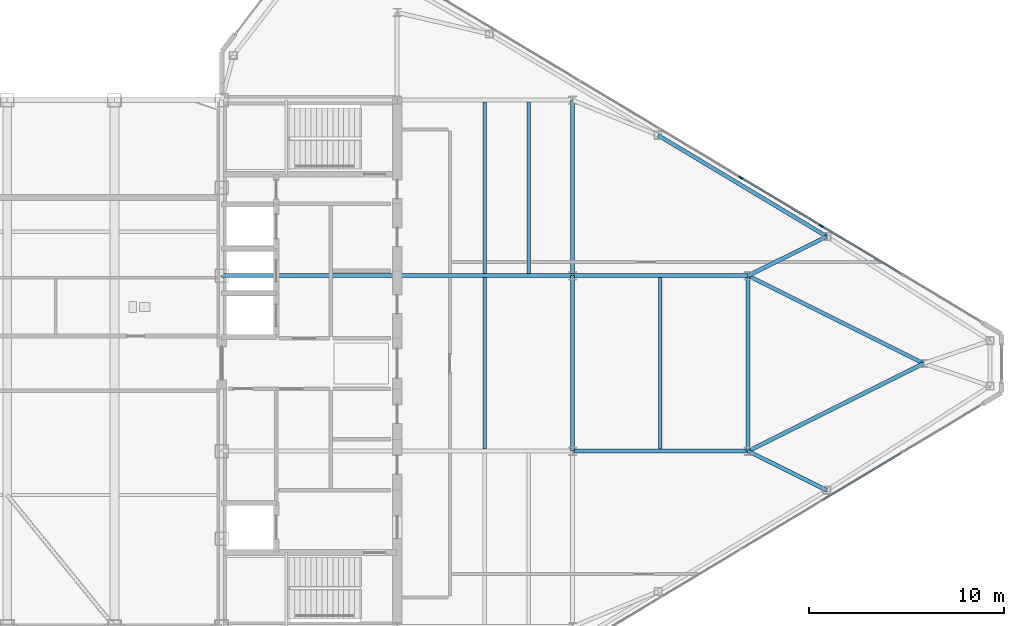
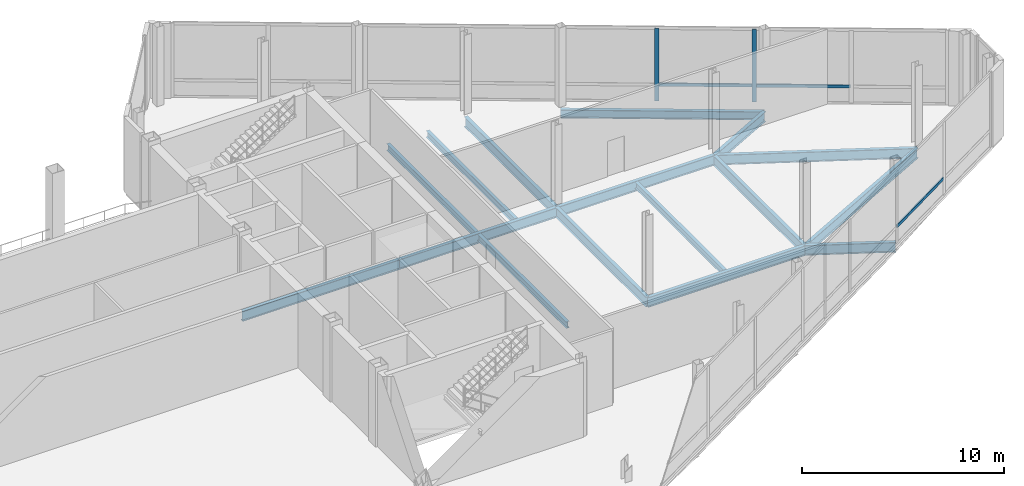
# One storey, part 15 of 28: 16 beams, 5 members, 2 elements without a shape of their own.
"""IFC4 building model written with IfcOpenShell, lengths in metres."""

from ifc_helpers import new_model, si_unit, direction, frame, origin, origin_2d, place, context, subcontext, project, spatial, rectangle, i_section, extrude, source, transform, mapped, material, layer, layer_set, material_profile, profile_set, type_object, type_shapes, element, aggregate, save


model = new_model("IFC4")

# Units and contexts
model_context = context("Model", 3, precision=1e-05, world=origin(), true_north=direction((0.0, 1.0)))
body_context = subcontext(model_context, "Body", "Model", "MODEL_VIEW")
ifc_project = project(units=[si_unit("LENGTHUNIT", "METRE"), si_unit("AREAUNIT", "SQUARE_METRE"), si_unit("VOLUMEUNIT", "CUBIC_METRE"), si_unit("PLANEANGLEUNIT", "RADIAN"), si_unit("MASSUNIT", "GRAM", prefix="KILO")], contexts=[model_context])

# Site, building, storey
site_placement = place(None, origin())
site = spatial("IfcSite", under=ifc_project, at=site_placement, CompositionType="ELEMENT")
building_placement = place(site_placement, origin())
building = spatial("IfcBuilding", under=site, at=building_placement, Name="Seokmaru Belvedere", CompositionType="ELEMENT")
storey_placement = place(building_placement, frame((0.0, 0.0, 274.199951171875)))
storey = spatial("IfcBuildingStorey", under=building, at=storey_placement, Name="L72", CompositionType="ELEMENT", Elevation=274.199951171875)

# Beams
ifc_material_1 = material(Name="Steel SM355 (355 MPa)", Category="steel")
ifc_material_profile_1 = material_profile(ifc_material_1, i_section(OverallWidth=0.199951171875, OverallDepth=0.60009765625, WebThickness=0.010986328125, FlangeThickness=0.01708984375, at=origin_2d()), Name="H-600x200x11x17")
ifc_profile_set_1 = profile_set([ifc_material_profile_1], Name="Steel SM355 (355 MPa)")
beam_type_1 = type_object("IfcBeamType", Name="Primary Floor Girder H-600", PredefinedType="BEAM", material=ifc_profile_set_1)
shared_shape_1 = source(origin(), body_context, "Body", "SweptSolid", [
    extrude(i_section(OverallWidth=0.199951171875, OverallDepth=0.60009765625, WebThickness=0.010986328125, FlangeThickness=0.01708984375, at=origin_2d()), origin(), (0.0, 0.0, 1.0), 9.0),
])
for number, where, z_axis, x_axis, name in (
    (1, (45.5, -4.5, -0.56005859375), (0.0, 1.0, 0.0), (-1.0, 0.0, 0.0), "L72 E Interior Grid Girder 2"),
    (2, (45.5, 4.5, -0.56005859375), (0.0, 1.0, 0.0), (-1.0, 0.0, 0.0), "L72 E Interior Grid Girder 3"),
    (3, (27.5, 4.5, -0.56005859375), (1.0, 0.0, 0.0), (0.0, 1.0, 0.0), "L72 E Core Tie Girder 3"),
    (4, (36.5, 4.5, -0.56005859375), (1.0, 0.0, 0.0), (0.0, 1.0, 0.0), "L72 E Wing Primary Girder 3"),
    (5, (45.5, -4.5, -0.56005859375), (1.0, 0.0, 0.0), (0.0, 1.0, 0.0), "L72 E Outer Wing Girder 1"),
    (6, (45.5, 4.5, -0.56005859375), (1.0, 0.0, 0.0), (0.0, 1.0, 0.0), "L72 E Outer Wing Girder 2"),
    (7, (54.5, -4.5, -0.56005859375), (0.0, 1.0, 0.0), (-1.0, 0.0, 0.0), "L72 E Apex Frame Girder"),
):
    element("IfcBeam", number, at=place(storey_placement, frame(where, z_axis=z_axis, x_axis=x_axis)), inside=storey, type_object=beam_type_1, Name=name, PredefinedType="BEAM", context=body_context, shape_type="MappedRepresentation", body=[
        mapped(shared_shape_1, transform((0.0, 0.0, 0.0), scale=1.0)),
    ])
shared_shape_2 = source(origin(), body_context, "Body", "SweptSolid", [
    extrude(i_section(OverallWidth=0.199951171875, OverallDepth=0.60009765625, WebThickness=0.010986328125, FlangeThickness=0.01708984375, at=origin_2d()), origin(), (0.0, 0.0, 1.0), 10.062255859375),
])
for number, where, z_axis, x_axis, name in (
    (8, (54.5, -4.5, -0.56005859375), (0.894427191, 0.4472135955, 0.0), (-0.4472135955, 0.894427191, 0.0), "L72 E Apex Converging Girder 1"),
    (9, (54.5, 4.5, -0.56005859375), (0.894427191, -0.4472135955, 0.0), (0.4472135955, 0.894427191, 0.0), "L72 E Apex Converging Girder 2"),
):
    element("IfcBeam", number, at=place(storey_placement, frame(where, z_axis=z_axis, x_axis=x_axis)), inside=storey, type_object=beam_type_1, Name=name, PredefinedType="BEAM", context=body_context, shape_type="MappedRepresentation", body=[
        mapped(shared_shape_2, transform((0.0, 0.0, 0.0), scale=1.0)),
    ])
ifc_material_profile_2 = material_profile(ifc_material_1, i_section(OverallWidth=0.18505859375, OverallDepth=0.389892578125, WebThickness=0.008056640625, FlangeThickness=0.011962890625, at=origin_2d()), Name="H-390x185x8x12")
ifc_profile_set_2 = profile_set([ifc_material_profile_2], Name="Steel SM355 (355 MPa)")
beam_type_2 = type_object("IfcBeamType", Name="Secondary Floor Joist H-350", PredefinedType="JOIST", material=ifc_profile_set_2)
shared_shape_3 = source(origin(), body_context, "Body", "SweptSolid", [
    extrude(i_section(OverallWidth=0.18505859375, OverallDepth=0.389892578125, WebThickness=0.008056640625, FlangeThickness=0.011962890625, at=origin_2d()), origin(), (0.0, 0.0, 1.0), 8.7900390625),
])
type_shapes(beam_type_2, [shared_shape_3])
for number, where, z_axis, x_axis, name in (
    (10, (43.25, 4.60498046875, -0.454833984375), (0.0, 1.0, 0.0), (-1.0, 0.0, 0.0), "L72 E Wing Inner Secondary Joist 2"),
    (11, (41.0, -4.39501953125, -0.454833984375), (0.0, 1.0, 0.0), (-1.0, 0.0, 0.0), "L72 E Secondary Floor Joist 2"),
    (12, (41.0, 4.60498046875, -0.454833984375), (0.0, 1.0, 0.0), (-1.0, 0.0, 0.0), "L72 E Secondary Floor Joist 3"),
    (13, (50.0, -4.39501953125, -0.454833984375), (0.0, 1.0, 0.0), (-1.0, 0.0, 0.0), "L72 E Outer Bay Secondary Joist"),
):
    element("IfcBeam", number, at=place(storey_placement, frame(where, z_axis=z_axis, x_axis=x_axis)), inside=storey, type_object=beam_type_2, Name=name, PredefinedType="JOIST", context=body_context, shape_type="MappedRepresentation", body=[
        mapped(shared_shape_3, transform((0.0, 0.0, 0.0), scale=1.0)),
    ])
ifc_material_profile_3 = material_profile(ifc_material_1, i_section(OverallWidth=0.199951171875, OverallDepth=0.5, WebThickness=0.010009765625, FlangeThickness=0.01611328125, at=origin_2d()), Name="H-500x200x10x16")
ifc_profile_set_3 = profile_set([ifc_material_profile_3], Name="Steel SM355 (355 MPa)")
beam_type_3 = type_object("IfcBeamType", Name="Perimeter Spandrel Beam H-500", PredefinedType="SPANDREL", material=ifc_profile_set_3)
shared_shape_4 = source(origin(), body_context, "Body", "SweptSolid", [
    extrude(i_section(OverallWidth=0.199951171875, OverallDepth=0.5, WebThickness=0.010009765625, FlangeThickness=0.01611328125, at=origin_2d()), origin(), (0.0, 0.0, 1.0), 10.087646484375),
])
type_shapes(beam_type_3, [shared_shape_4])
beam_placement = place(storey_placement, frame((49.8798828125, 11.698974609375, -0.510009765625), z_axis=(0.857488654804, -0.514502873542, 0.0), x_axis=(0.514502873542, 0.857488654804, 0.0)))
element("IfcBeam", 14, at=beam_placement, inside=storey, type_object=beam_type_3, Name="L72 E Faceted Flank Spandrel N-3", PredefinedType="SPANDREL", context=body_context, shape_type="MappedRepresentation", body=[
    mapped(shared_shape_4, transform((0.0, 0.0, 0.0), scale=1.0)),
])
shared_shape_5 = source(origin(), body_context, "Body", "SweptSolid", [
    extrude(i_section(OverallWidth=0.199951171875, OverallDepth=0.60009765625, WebThickness=0.010986328125, FlangeThickness=0.01708984375, at=origin_2d()), origin(), (0.0, 0.0, 1.0), 4.5029296875),
])
type_shapes(beam_type_1, [shared_shape_1, shared_shape_2, shared_shape_5])
for number, where, z_axis, x_axis, name in (
    (15, (58.530029296875, -6.5087890625, -0.56005859375), (-0.894979532585, 0.446107202648, 0.0), (-0.446107202648, -0.894979532585, 0.0), "L72 E Flank Radial Floor Girder S-3"),
    (16, (58.530029296875, 6.5087890625, -0.56005859375), (-0.894979532585, -0.446107202648, 0.0), (0.446107202648, -0.894979532585, 0.0), "L72 E Flank Radial Floor Girder N-3"),
):
    element("IfcBeam", number, at=place(storey_placement, frame(where, z_axis=z_axis, x_axis=x_axis)), inside=storey, type_object=beam_type_1, Name=name, PredefinedType="BEAM", context=body_context, shape_type="MappedRepresentation", body=[
        mapped(shared_shape_5, transform((0.0, 0.0, 0.0), scale=1.0)),
    ])

# Curtain wall, member
ifc_material_2 = material(Name="Bronze Triple Insulating Glass", Category="glass")
ifc_layer = layer(ifc_material_2, 0.219970703125)
ifc_layer_set = layer_set([ifc_layer], Name="Bronze Triple Insulating Glass")
curtain_wall_type = type_object("IfcCurtainWallType", Name="Sky-Gate Bridge Panorama Curtain Wall System CW-6", PredefinedType="NOTDEFINED", material=ifc_layer_set)
curtain_wall_1_placement = place(storey_placement, origin())
curtain_wall_1 = element("IfcCurtainWall", 17, at=curtain_wall_1_placement, inside=storey, type_object=curtain_wall_type, Name="L72 Curtain Wall EF1", PredefinedType="NOTDEFINED")
ifc_material_3 = material(Name="Anodised Bronze Aluminium", Category="aluminium")
ifc_material_profile_4 = material_profile(ifc_material_3, rectangle(XDim=0.074951171875, YDim=0.179931640625, at=origin_2d()), Name="CW-T-75x180")
ifc_profile_set_4 = profile_set([ifc_material_profile_4], Name="Anodised Bronze Aluminium")
member_type_1 = type_object("IfcMemberType", Name="Bronze Unitised Transom 75x180", PredefinedType="USERDEFINED", material=ifc_profile_set_4)
shared_shape_6 = source(origin(), body_context, "Body", "SweptSolid", [
    extrude(rectangle(XDim=0.074951171875, YDim=0.179931640625, at=origin_2d()), origin(), (0.0, 0.0, 1.0), 4.734619140625),
])
member_1_placement = place(storey_placement, frame((58.291259765625, -7.025390625, 1.050048828125), z_axis=(0.857479275774, 0.514518504641, 0.0), x_axis=(-0.514518504641, 0.857479275774, 0.0)))
member_1 = element("IfcMember", 18, at=member_1_placement, type_object=member_type_1, Name="CW:L72:EF1 Spandrel Transom 7", ObjectType="TRANSOM", PredefinedType="USERDEFINED", context=body_context, shape_type="MappedRepresentation", body=[
    mapped(shared_shape_6, transform((0.0, 0.0, 0.0), scale=1.0)),
])
aggregate(curtain_wall_1, [member_1])

# Curtain wall, members
curtain_wall_2_placement = place(storey_placement, origin())
curtain_wall_2 = element("IfcCurtainWall", 19, at=curtain_wall_2_placement, inside=storey, type_object=curtain_wall_type, Name="L72 Curtain Wall EF3", PredefinedType="NOTDEFINED")
member_2_placement = place(storey_placement, frame((62.35107421875, 4.58935546875, 1.050048828125), z_axis=(-0.857479275774, 0.514518504641, 0.0), x_axis=(-0.514518504641, -0.857479275774, 0.0)))
member_2 = element("IfcMember", 20, at=member_2_placement, type_object=member_type_1, Name="CW:L72:EF3 Spandrel Transom 2", ObjectType="TRANSOM", PredefinedType="USERDEFINED", context=body_context, shape_type="MappedRepresentation", body=[
    mapped(shared_shape_6, transform((0.0, 0.0, 0.0), scale=1.0)),
])
shared_shape_7 = source(origin(), body_context, "Body", "SweptSolid", [
    extrude(rectangle(XDim=0.074951171875, YDim=0.179931640625, at=origin_2d()), origin(), (0.0, 0.0, 1.0), 4.734375),
])
type_shapes(member_type_1, [shared_shape_6, shared_shape_7])
member_3_placement = place(storey_placement, frame((58.22265625, 7.06640625, 1.050048828125), z_axis=(-0.857502025578, 0.514480588682, 0.0), x_axis=(-0.514480588682, -0.857502025578, 0.0)))
member_3 = element("IfcMember", 21, at=member_3_placement, type_object=member_type_1, Name="CW:L72:EF3 Spandrel Transom 3", ObjectType="TRANSOM", PredefinedType="USERDEFINED", context=body_context, shape_type="MappedRepresentation", body=[
    mapped(shared_shape_7, transform((0.0, 0.0, 0.0), scale=1.0)),
])
ifc_material_profile_5 = material_profile(ifc_material_3, rectangle(XDim=0.080078125, YDim=0.219970703125, at=origin_2d()), Name="CW-M-80x220")
ifc_profile_set_5 = profile_set([ifc_material_profile_5], Name="Anodised Bronze Aluminium")
member_type_2 = type_object("IfcMemberType", Name="Bronze Unitised Mullion 80x220", PredefinedType="MULLION", material=ifc_profile_set_5)
shared_shape_8 = source(origin(), body_context, "Body", "SweptSolid", [
    extrude(rectangle(XDim=0.080078125, YDim=0.219970703125, at=origin_2d()), origin(), (0.0, 0.0, 1.0), 4.3701171875),
])
type_shapes(member_type_2, [shared_shape_8])
member_4_placement = place(storey_placement, frame((58.257080078125, 7.0458984375, 0.074951171875), z_axis=(0.0, 0.0, 1.0), x_axis=(-0.514494909364, -0.85749343335, 0.0)))
member_4 = element("IfcMember", 22, at=member_4_placement, type_object=member_type_2, Name="CW:L72:EF3 Mullion 3", PredefinedType="MULLION", context=body_context, shape_type="MappedRepresentation", body=[
    mapped(shared_shape_8, transform((0.0, 0.0, 0.0), scale=1.0)),
])
member_5_placement = place(storey_placement, frame((54.12841796875, 9.52294921875, 0.074951171875), z_axis=(0.0, 0.0, 1.0), x_axis=(-0.514494909364, -0.85749343335, 0.0)))
member_5 = element("IfcMember", 23, at=member_5_placement, type_object=member_type_2, Name="CW:L72:EF3 Mullion 4", PredefinedType="MULLION", context=body_context, shape_type="MappedRepresentation", body=[
    mapped(shared_shape_8, transform((0.0, 0.0, 0.0), scale=1.0)),
])
aggregate(curtain_wall_2, [member_4, member_5, member_2, member_3])

save(model, "model.ifc")
